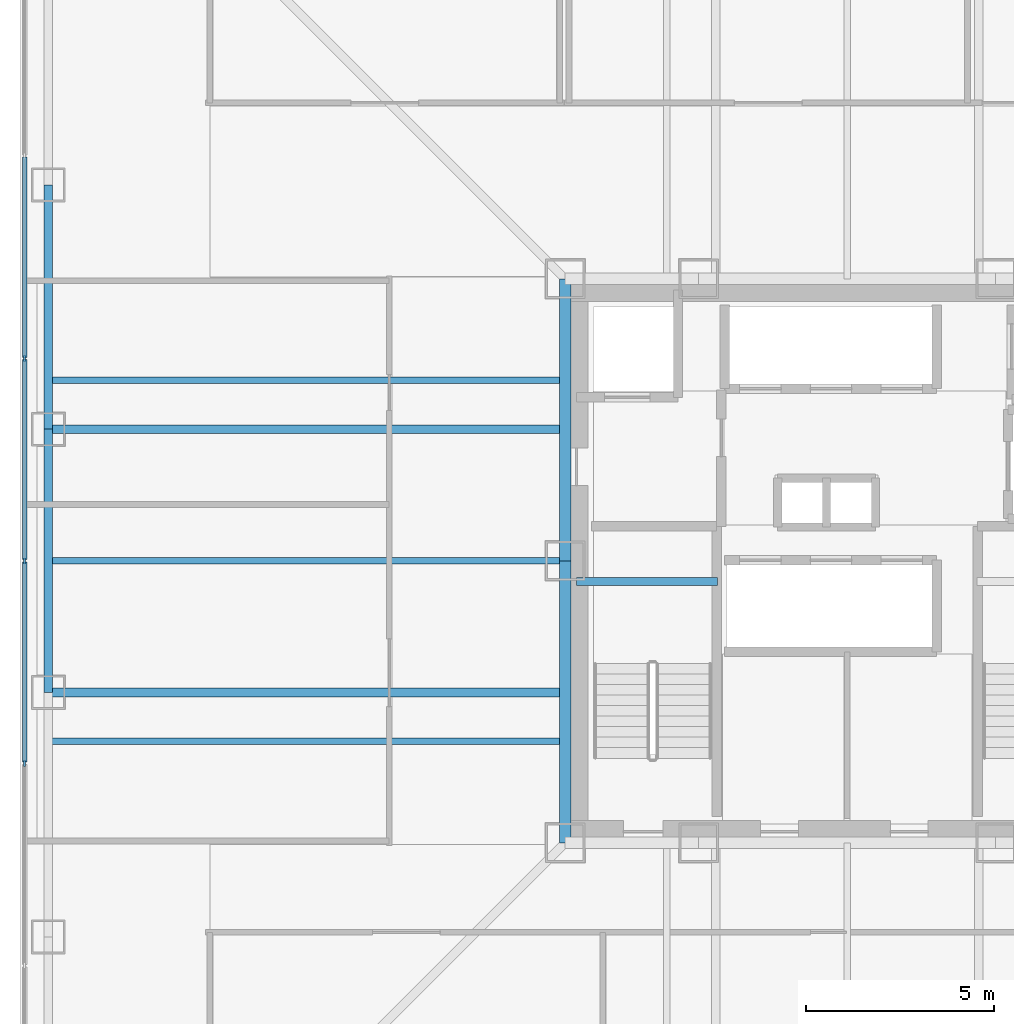
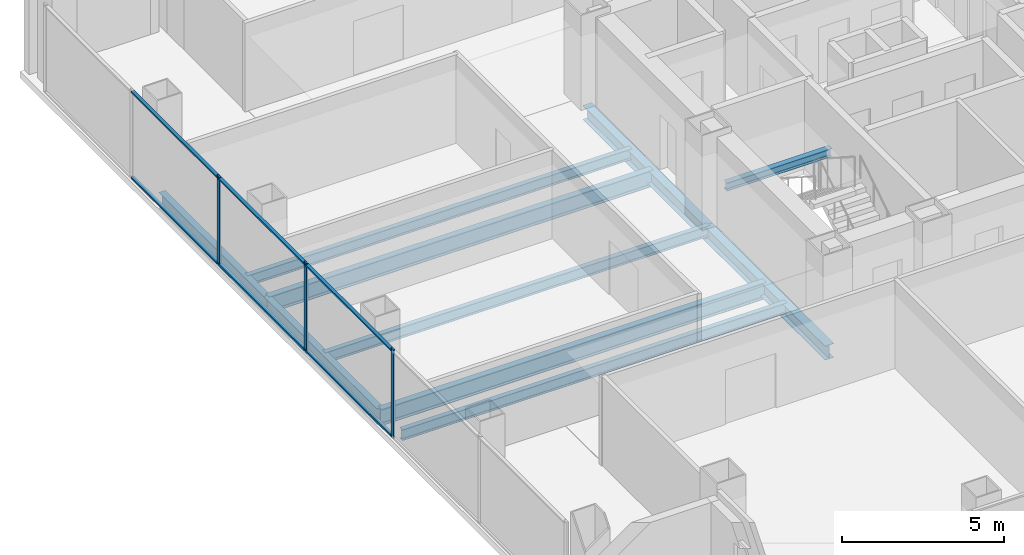
# One storey, part 4 of 14: 10 beams, 9 members, 1 element without a shape of its own.
"""IFC4 building model written with IfcOpenShell, lengths in metres."""

from ifc_helpers import new_model, si_unit, direction, frame, origin, origin_2d, place, context, subcontext, project, spatial, rectangle, i_section, extrude, material, layer, layer_set, material_profile, profile_set, type_object, element, aggregate, save


model = new_model("IFC4")

# Units and contexts
model_context = context("Model", 3, precision=1e-05, world=origin(), true_north=direction((0.0, 1.0)))
body_context = subcontext(model_context, "Body", "Model", "MODEL_VIEW")
ifc_project = project(units=[si_unit("LENGTHUNIT", "METRE"), si_unit("AREAUNIT", "SQUARE_METRE"), si_unit("VOLUMEUNIT", "CUBIC_METRE"), si_unit("PLANEANGLEUNIT", "RADIAN"), si_unit("MASSUNIT", "GRAM", prefix="KILO")], contexts=[model_context])

# Site, building, storey
site_placement = place(None, origin())
site = spatial("IfcSite", under=ifc_project, at=site_placement, CompositionType="ELEMENT")
building_placement = place(site_placement, origin())
building = spatial("IfcBuilding", under=site, at=building_placement, Name="Trevonay Congress Spire", CompositionType="ELEMENT")
storey_placement = place(building_placement, frame((0.0, 0.0, 119.199951171875)))
storey = spatial("IfcBuildingStorey", under=building, at=storey_placement, Name="L30", CompositionType="ELEMENT", Elevation=119.199951171875)

# Beams
ifc_material_1 = material(Name="Steel ASTM A572 Grade 50", Category="steel")
ifc_material_profile_1 = material_profile(ifc_material_1, i_section(OverallWidth=0.31201171875, OverallDepth=0.54296875, WebThickness=0.0126953125, FlangeThickness=0.020263671875, FilletRadius=0.014892578125, at=origin_2d()), Name="W530x150")
ifc_profile_set_1 = profile_set([ifc_material_profile_1], Name="Steel ASTM A572 Grade 50")
beam_type_1 = type_object("IfcBeamType", Name="BM-GIRD-W530X150", PredefinedType="BEAM", material=ifc_profile_set_1)
for number, where, z_axis, x_axis, name in (
    (1, (-7.5, -7.5, -0.511474609375), (0.0, 1.0, 0.0), (-1.0, 0.0, 0.0), "L30 structural beam BM-L30-CR-W1"),
    (2, (-7.5, 0.0, -0.511474609375), (0.0, 1.0, 0.0), (-1.0, 0.0, 0.0), "L30 structural beam BM-L30-CR-W2"),
):
    element("IfcBeam", number, at=place(storey_placement, frame(where, z_axis=z_axis, x_axis=x_axis)), inside=storey, type_object=beam_type_1, Name=name, PredefinedType="BEAM", context=body_context, shape_type="SweptSolid", body=[
        extrude(i_section(OverallWidth=0.31201171875, OverallDepth=0.54296875, WebThickness=0.0126953125, FlangeThickness=0.020263671875, FilletRadius=0.014892578125, at=origin_2d()), origin(), (0.0, 0.0, 1.0), 7.5),
    ])
ifc_material_profile_2 = material_profile(ifc_material_1, i_section(OverallWidth=0.22998046875, OverallDepth=0.616943359375, WebThickness=0.01318359375, FlangeThickness=0.022216796875, FilletRadius=0.01611328125, at=origin_2d()), Name="W610x140")
ifc_profile_set_2 = profile_set([ifc_material_profile_2], Name="Steel ASTM A572 Grade 50")
beam_type_2 = type_object("IfcBeamType", Name="BM-GIRD-W610X140", PredefinedType="BEAM", material=ifc_profile_set_2)
for number, where, z_axis, x_axis, name in (
    (3, (-7.5, -3.5, -0.54833984375), (-1.0, 0.0, 0.0), (0.0, -1.0, 0.0), "L30 structural beam BM-L30-GW-M"),
    (4, (-7.5, 3.5, -0.54833984375), (-1.0, 0.0, 0.0), (0.0, -1.0, 0.0), "L30 structural beam BM-L30-GW-P"),
):
    element("IfcBeam", number, at=place(storey_placement, frame(where, z_axis=z_axis, x_axis=x_axis)), inside=storey, type_object=beam_type_2, Name=name, PredefinedType="BEAM", context=body_context, shape_type="SweptSolid", body=[
        extrude(i_section(OverallWidth=0.22998046875, OverallDepth=0.616943359375, WebThickness=0.01318359375, FlangeThickness=0.022216796875, FilletRadius=0.01611328125, at=origin_2d()), origin(), (0.0, 0.0, 1.0), 13.75),
    ])
ifc_material_profile_3 = material_profile(ifc_material_1, i_section(OverallWidth=0.22802734375, OverallDepth=0.60791015625, WebThickness=0.01123046875, FlangeThickness=0.017333984375, FilletRadius=0.01611328125, at=origin_2d()), Name="W610x113")
ifc_profile_set_3 = profile_set([ifc_material_profile_3], Name="Steel ASTM A572 Grade 50")
beam_type_3 = type_object("IfcBeamType", Name="BM-RING-W610X113", PredefinedType="BEAM", material=ifc_profile_set_3)
beam_1_placement = place(storey_placement, frame((-21.25, -3.5, -0.5439453125), z_axis=(0.0, 1.0, 0.0), x_axis=(-1.0, 0.0, 0.0)))
element("IfcBeam", 5, at=beam_1_placement, inside=storey, type_object=beam_type_3, Name="L30 structural beam BM-L30-PW3", PredefinedType="BEAM", context=body_context, shape_type="SweptSolid", body=[
    extrude(i_section(OverallWidth=0.22802734375, OverallDepth=0.60791015625, WebThickness=0.01123046875, FlangeThickness=0.017333984375, FilletRadius=0.01611328125, at=origin_2d()), origin(), (0.0, 0.0, 1.0), 7.0),
])
beam_2_placement = place(storey_placement, frame((-21.25, 3.5, -0.5439453125), z_axis=(0.0, 1.0, 0.0), x_axis=(-1.0, 0.0, 0.0)))
element("IfcBeam", 6, at=beam_2_placement, inside=storey, type_object=beam_type_3, Name="L30 structural beam BM-L30-PW4", PredefinedType="BEAM", context=body_context, shape_type="SweptSolid", body=[
    extrude(i_section(OverallWidth=0.22802734375, OverallDepth=0.60791015625, WebThickness=0.01123046875, FlangeThickness=0.017333984375, FilletRadius=0.01611328125, at=origin_2d()), origin(), (0.0, 0.0, 1.0), 6.5),
])

# Curtain wall, members
ifc_material_2 = material(Name="Pale Anodised Aluminium EN AW-6063-T6", Category="aluminium")
ifc_layer = layer(ifc_material_2, 0.175048828125, Name="Pale Anodised Aluminium EN AW-6063-T6")
ifc_layer_set = layer_set([ifc_layer], Name="Pale Anodised Aluminium EN AW-6063-T6")
curtain_wall_type = type_object("IfcCurtainWallType", Name="CW-SYS03-CONGRESS-PALE-METAL", PredefinedType="NOTDEFINED", material=ifc_layer_set)
curtain_wall_placement = place(storey_placement, origin())
curtain_wall = element("IfcCurtainWall", 7, at=curtain_wall_placement, inside=storey, type_object=curtain_wall_type, Name="L30 W unitised curtain wall", PredefinedType="NOTDEFINED")
ifc_material_profile_4 = material_profile(ifc_material_2, rectangle(XDim=0.06005859375, YDim=0.159912109375, at=origin_2d()), Name="CW-MULLION-160-ALUMINIUM")
ifc_profile_set_4 = profile_set([ifc_material_profile_4], Name="Pale Anodised Aluminium EN AW-6063-T6")
member_type_1 = type_object("IfcMemberType", Name="CW-MULLION-160-ALUMINIUM", PredefinedType="MULLION", material=ifc_profile_set_4)
member_1_placement = place(storey_placement, frame((-21.8798828125, -5.38330078125, 0.0), z_axis=(0.0, 0.0, 1.0), x_axis=(-1.0, 0.0, 0.0)))
member_1 = element("IfcMember", 8, at=member_1_placement, type_object=member_type_1, Name="CW03 mullion 3", PredefinedType="MULLION", context=body_context, shape_type="SweptSolid", body=[
    extrude(rectangle(XDim=0.06005859375, YDim=0.159912109375, at=origin_2d()), origin(), (0.0, 0.0, 1.0), 3.360107421875),
])
member_2_placement = place(storey_placement, frame((-21.8798828125, 0.0, 0.0), z_axis=(0.0, 0.0, 1.0), x_axis=(-1.0, 0.0, 0.0)))
member_2 = element("IfcMember", 9, at=member_2_placement, type_object=member_type_1, Name="CW03 mullion 4", PredefinedType="MULLION", context=body_context, shape_type="SweptSolid", body=[
    extrude(rectangle(XDim=0.06005859375, YDim=0.159912109375, at=origin_2d()), origin(), (0.0, 0.0, 1.0), 3.360107421875),
])
member_3_placement = place(storey_placement, frame((-21.8798828125, 5.38330078125, 0.0), z_axis=(0.0, 0.0, 1.0), x_axis=(-1.0, 0.0, 0.0)))
member_3 = element("IfcMember", 10, at=member_3_placement, type_object=member_type_1, Name="CW03 mullion 5", PredefinedType="MULLION", context=body_context, shape_type="SweptSolid", body=[
    extrude(rectangle(XDim=0.06005859375, YDim=0.159912109375, at=origin_2d()), origin(), (0.0, 0.0, 1.0), 3.360107421875),
])
ifc_material_profile_5 = material_profile(ifc_material_2, rectangle(XDim=0.1201171875, YDim=0.06005859375, at=origin_2d()), Name="CW-TRANSOM-120-ALUMINIUM")
ifc_profile_set_5 = profile_set([ifc_material_profile_5], Name="Pale Anodised Aluminium EN AW-6063-T6")
member_type_2 = type_object("IfcMemberType", Name="CW-TRANSOM-120-ALUMINIUM", PredefinedType="USERDEFINED", material=ifc_profile_set_5)
member_4_placement = place(storey_placement, frame((-21.8798828125, -5.353271484375, 0.06005859375), z_axis=(0.0, 1.0, 0.0), x_axis=(-1.0, 0.0, 0.0)))
member_4 = element("IfcMember", 11, at=member_4_placement, type_object=member_type_2, Name="CW03 transom 3.1", ObjectType="TRANSOM", PredefinedType="USERDEFINED", context=body_context, shape_type="SweptSolid", body=[
    extrude(rectangle(XDim=0.1201171875, YDim=0.06005859375, at=origin_2d()), origin(), (0.0, 0.0, 1.0), 5.3232421875),
])
member_5_placement = place(storey_placement, frame((-21.8798828125, -5.353271484375, 3.300048828125), z_axis=(0.0, 1.0, 0.0), x_axis=(-1.0, 0.0, 0.0)))
member_5 = element("IfcMember", 12, at=member_5_placement, type_object=member_type_2, Name="CW03 transom 3.2", ObjectType="TRANSOM", PredefinedType="USERDEFINED", context=body_context, shape_type="SweptSolid", body=[
    extrude(rectangle(XDim=0.1201171875, YDim=0.06005859375, at=origin_2d()), origin(), (0.0, 0.0, 1.0), 5.3232421875),
])
member_6_placement = place(storey_placement, frame((-21.8798828125, 0.030029296875, 0.06005859375), z_axis=(0.0, 1.0, 0.0), x_axis=(-1.0, 0.0, 0.0)))
member_6 = element("IfcMember", 13, at=member_6_placement, type_object=member_type_2, Name="CW03 transom 4.1", ObjectType="TRANSOM", PredefinedType="USERDEFINED", context=body_context, shape_type="SweptSolid", body=[
    extrude(rectangle(XDim=0.1201171875, YDim=0.06005859375, at=origin_2d()), origin(), (0.0, 0.0, 1.0), 5.3232421875),
])
member_7_placement = place(storey_placement, frame((-21.8798828125, 0.030029296875, 3.300048828125), z_axis=(0.0, 1.0, 0.0), x_axis=(-1.0, 0.0, 0.0)))
member_7 = element("IfcMember", 14, at=member_7_placement, type_object=member_type_2, Name="CW03 transom 4.2", ObjectType="TRANSOM", PredefinedType="USERDEFINED", context=body_context, shape_type="SweptSolid", body=[
    extrude(rectangle(XDim=0.1201171875, YDim=0.06005859375, at=origin_2d()), origin(), (0.0, 0.0, 1.0), 5.3232421875),
])
member_8_placement = place(storey_placement, frame((-21.8798828125, 5.413330078125, 0.06005859375), z_axis=(0.0, 1.0, 0.0), x_axis=(-1.0, 0.0, 0.0)))
member_8 = element("IfcMember", 15, at=member_8_placement, type_object=member_type_2, Name="CW03 transom 5.1", ObjectType="TRANSOM", PredefinedType="USERDEFINED", context=body_context, shape_type="SweptSolid", body=[
    extrude(rectangle(XDim=0.1201171875, YDim=0.06005859375, at=origin_2d()), origin(), (0.0, 0.0, 1.0), 5.3232421875),
])
member_9_placement = place(storey_placement, frame((-21.8798828125, 5.413330078125, 3.300048828125), z_axis=(0.0, 1.0, 0.0), x_axis=(-1.0, 0.0, 0.0)))
member_9 = element("IfcMember", 16, at=member_9_placement, type_object=member_type_2, Name="CW03 transom 5.2", ObjectType="TRANSOM", PredefinedType="USERDEFINED", context=body_context, shape_type="SweptSolid", body=[
    extrude(rectangle(XDim=0.1201171875, YDim=0.06005859375, at=origin_2d()), origin(), (0.0, 0.0, 1.0), 5.3232421875),
])
aggregate(curtain_wall, [member_1, member_2, member_3, member_4, member_5, member_6, member_7, member_8, member_9])

# Beams
ifc_material_profile_6 = material_profile(ifc_material_1, i_section(OverallWidth=0.177978515625, OverallDepth=0.406982421875, WebThickness=0.0078125, FlangeThickness=0.0126953125, FilletRadius=0.012939453125, at=origin_2d()), Name="W410x60")
ifc_profile_set_6 = profile_set([ifc_material_profile_6], Name="Steel ASTM A572 Grade 50")
beam_type_4 = type_object("IfcBeamType", Name="JS-COMP-W410X60", PredefinedType="JOIST", material=ifc_profile_set_6)
for number, where, z_axis, x_axis, name in (
    (17, (-21.25, -4.800048828125, -0.443359375), (1.0, 0.0, 0.0), (0.0, 1.0, 0.0), "L30 structural beam JS-L30-EW-W1"),
    (18, (-21.25, 0.0, -0.443359375), (1.0, 0.0, 0.0), (0.0, 1.0, 0.0), "L30 structural beam JS-L30-EW-W2"),
    (19, (-21.25, 4.800048828125, -0.443359375), (1.0, 0.0, 0.0), (0.0, 1.0, 0.0), "L30 structural beam JS-L30-EW-W3"),
):
    element("IfcBeam", number, at=place(storey_placement, frame(where, z_axis=z_axis, x_axis=x_axis)), inside=storey, type_object=beam_type_4, Name=name, PredefinedType="JOIST", context=body_context, shape_type="SweptSolid", body=[
        extrude(i_section(OverallWidth=0.177978515625, OverallDepth=0.406982421875, WebThickness=0.0078125, FlangeThickness=0.0126953125, FilletRadius=0.012939453125, at=origin_2d()), origin(), (0.0, 0.0, 1.0), 13.75),
    ])
ifc_material_profile_7 = material_profile(ifc_material_1, i_section(OverallWidth=0.2041015625, OverallDepth=0.305908203125, WebThickness=0.008544921875, FlangeThickness=0.0146484375, FilletRadius=0.010986328125, at=origin_2d()), Name="W310x67")
ifc_profile_set_7 = profile_set([ifc_material_profile_7], Name="Steel ASTM A572 Grade 50")
beam_type_5 = type_object("IfcBeamType", Name="LN-CORE-W310X67", PredefinedType="LINTEL", material=ifc_profile_set_7)
beam_3_placement = place(storey_placement, frame((-7.199951171875, -0.550048828125, 1.447021484375), z_axis=(1.0, 0.0, 0.0), x_axis=(0.0, 1.0, 0.0)))
element("IfcBeam", 20, at=beam_3_placement, inside=storey, type_object=beam_type_5, Name="L30 structural beam BM-L30-HL-ST1", PredefinedType="LINTEL", context=body_context, shape_type="SweptSolid", body=[
    extrude(i_section(OverallWidth=0.2041015625, OverallDepth=0.305908203125, WebThickness=0.008544921875, FlangeThickness=0.0146484375, FilletRadius=0.010986328125, at=origin_2d()), origin(), (0.0, 0.0, 1.0), 3.75),
])

save(model, "model.ifc")
